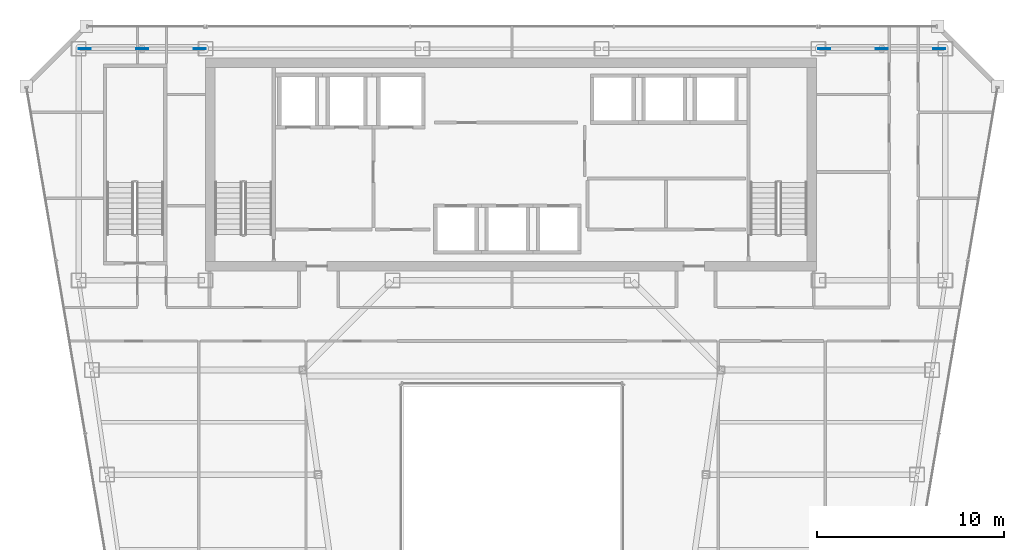
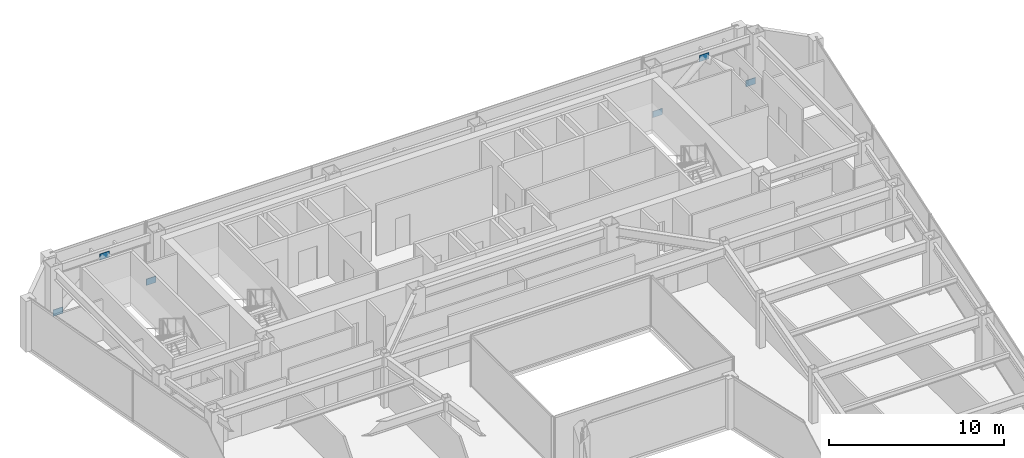
# One storey, part 29 of 36: 6 plates.
"""IFC4 building model written with IfcOpenShell, lengths in metres."""

from ifc_helpers import new_model, si_unit, direction, frame, origin, origin_2d, place, context, subcontext, project, spatial, rectangle, extrude, material, layer, layer_set, type_object, element, save


model = new_model("IFC4")

# Units and contexts
model_context = context("Model", 3, precision=1e-05, world=origin(), true_north=direction((0.0, 1.0)))
body_context = subcontext(model_context, "Body", "Model", "MODEL_VIEW")
ifc_project = project(units=[si_unit("LENGTHUNIT", "METRE"), si_unit("AREAUNIT", "SQUARE_METRE"), si_unit("VOLUMEUNIT", "CUBIC_METRE"), si_unit("PLANEANGLEUNIT", "RADIAN"), si_unit("MASSUNIT", "GRAM", prefix="KILO")], contexts=[model_context])

# Site, building, storey
site_placement = place(None, origin())
site = spatial("IfcSite", under=ifc_project, at=site_placement, CompositionType="ELEMENT")
building_placement = place(site_placement, origin())
building = spatial("IfcBuilding", under=site, at=building_placement, Name="Saevonmaru Cultural Tower", CompositionType="ELEMENT")
storey_placement = place(building_placement, frame((0.0, 0.0, 186.60009765625)))
storey = spatial("IfcBuildingStorey", under=building, at=storey_placement, Name="L42", CompositionType="ELEMENT", Elevation=186.60009765625)

# Plates
ifc_material = material(Name="Steel HSA600 (600 MPa)", Category="steel")
ifc_layer = layer(ifc_material, 0.0400390625, Name="Steel HSA600 (600 MPa)")
ifc_layer_set = layer_set([ifc_layer], Name="Steel HSA600 (600 MPa)")
plate_type = type_object("IfcPlateType", Name="PL-GUSSET-EXT", PredefinedType="USERDEFINED", material=ifc_layer_set)
for number, where, z_axis, x_axis, name in (
    (1, (10.199951171875, 54.800048828125, 2.849853515625), (0.0, 0.0, 1.0), (1.0, 0.0, 0.0), "L42 Perimeter Tube Gusset Plate"),
    (2, (7.1201171875, 54.800048828125, 0.02001953125), (0.0, 0.0, 1.0), (1.0, 0.0, 0.0), "L42 Perimeter Tube Gusset Plate"),
    (3, (13.280029296875, 54.800048828125, 0.02001953125), (0.0, 0.0, 1.0), (1.0, 0.0, 0.0), "L42 Perimeter Tube Gusset Plate"),
    (4, (49.800048828125, 54.800048828125, 2.849853515625), (0.0, 0.0, 1.0), (1.0, 0.0, 0.0), "L42 Perimeter Tube Gusset Plate"),
    (5, (46.719970703125, 54.800048828125, 0.02001953125), (0.0, 0.0, 1.0), (1.0, 0.0, 0.0), "L42 Perimeter Tube Gusset Plate"),
    (6, (52.8798828125, 54.800048828125, 0.02001953125), (0.0, 0.0, 1.0), (1.0, 0.0, 0.0), "L42 Perimeter Tube Gusset Plate"),
):
    element("IfcPlate", number, at=place(storey_placement, frame(where, z_axis=z_axis, x_axis=x_axis)), inside=storey, type_object=plate_type, Name=name, ObjectType="GUSSET_PLATE", PredefinedType="USERDEFINED", context=body_context, shape_type="SweptSolid", body=[
        extrude(rectangle(XDim=0.639892578125, YDim=0.0400390625, at=origin_2d()), origin(), (0.0, 0.0, 1.0), 0.43994140625),
    ])

save(model, "model.ifc")
